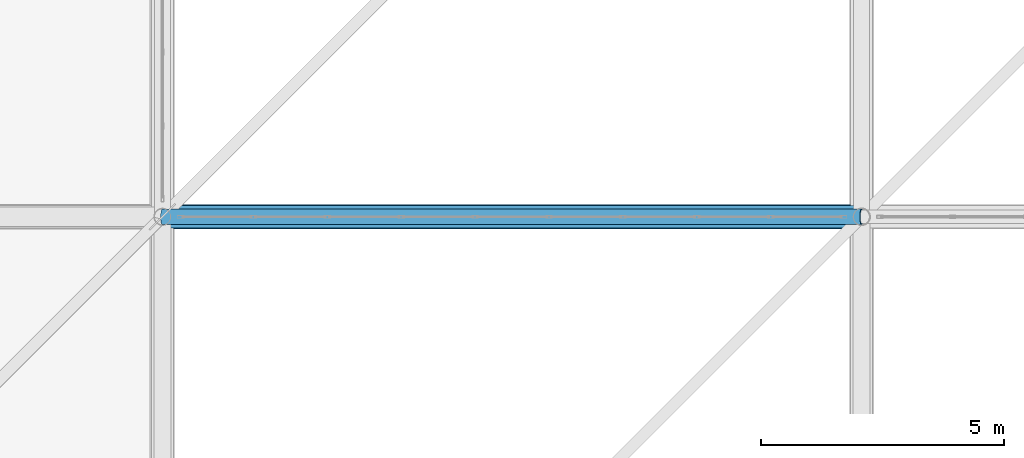
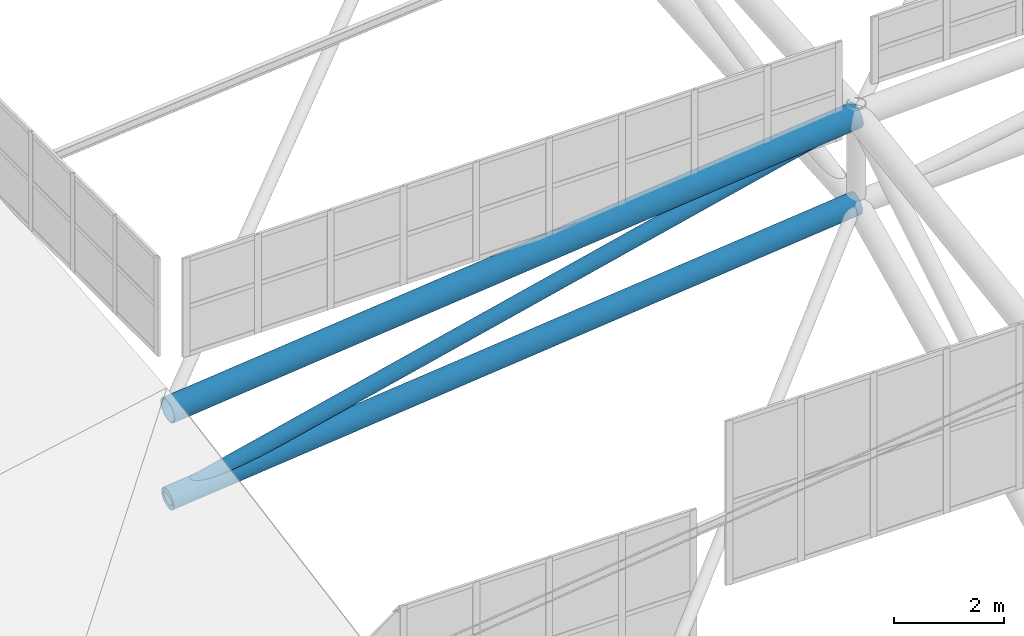
# One storey, part 36 of 397: 2 beams, 1 member.
"""IFC4 building model written with IfcOpenShell, lengths in metres."""

from ifc_helpers import new_model, si_unit, direction, frame, origin, origin_2d, place, context, subcontext, project, spatial, hollow_circle, extrude, material, material_profile, profile_set, type_object, element, save


model = new_model("IFC4")

# Units and contexts
model_context = context("Model", 3, precision=1e-05, world=origin(), true_north=direction((0.0, 1.0)))
body_context = subcontext(model_context, "Body", "Model", "MODEL_VIEW")
ifc_project = project(units=[si_unit("LENGTHUNIT", "METRE"), si_unit("AREAUNIT", "SQUARE_METRE"), si_unit("VOLUMEUNIT", "CUBIC_METRE"), si_unit("PLANEANGLEUNIT", "RADIAN"), si_unit("MASSUNIT", "GRAM", prefix="KILO")], contexts=[model_context])

# Site, building, storey
site_placement = place(None, origin())
site = spatial("IfcSite", under=ifc_project, at=site_placement, CompositionType="ELEMENT")
building_placement = place(site_placement, origin())
building = spatial("IfcBuilding", under=site, at=building_placement, Name="Qandorah Velis Arena", CompositionType="ELEMENT")
storey_placement = place(building_placement, frame((0.0, 0.0, 27.5)))
storey = spatial("IfcBuildingStorey", under=building, at=storey_placement, Name="RF", CompositionType="ELEMENT", Elevation=27.5)

# Beams
ifc_material = material(Name="Steel S355", Category="steel")
ifc_material_profile_1 = material_profile(ifc_material, hollow_circle(Radius=0.228515625, WallThickness=0.01611328125, at=origin_2d()), Name="CHS 457x16")
ifc_profile_set_1 = profile_set([ifc_material_profile_1], Name="Steel S355")
beam_type_1 = type_object("IfcBeamType", Name="STR-SFC-CHS457X16", PredefinedType="USERDEFINED", material=ifc_profile_set_1)
beam_1_placement = place(storey_placement, frame((28.800048828125, 28.800048828125, 5.515380859375), z_axis=(0.994659963096, 0.0, 0.10320638456), x_axis=(0.0, 1.0, 0.0)))
element("IfcBeam", 1, at=beam_1_placement, inside=storey, type_object=beam_type_1, Name="Space frame roof truss bottom chord X 1.1", ObjectType="ROOF TRUSS", PredefinedType="USERDEFINED", context=body_context, shape_type="SweptSolid", body=[
    extrude(hollow_circle(Radius=0.228515625, WallThickness=0.01611328125, at=origin_2d()), origin(), (0.0, 0.0, 1.0), 14.477294921875),
])
ifc_material_profile_2 = material_profile(ifc_material, hollow_circle(Radius=0.25390625, WallThickness=0.02001953125, at=origin_2d()), Name="CHS 508x20")
ifc_profile_set_2 = profile_set([ifc_material_profile_2], Name="Steel S355")
beam_type_2 = type_object("IfcBeamType", Name="STR-SFC-CHS508X20", PredefinedType="USERDEFINED", material=ifc_profile_set_2)
beam_2_placement = place(storey_placement, frame((28.800048828125, 28.800048828125, 7.46533203125), z_axis=(0.994659963096, 0.0, 0.10320638456), x_axis=(0.0, 1.0, 0.0)))
element("IfcBeam", 2, at=beam_2_placement, inside=storey, type_object=beam_type_2, Name="Space frame roof truss top chord X 1.1", ObjectType="ROOF TRUSS", PredefinedType="USERDEFINED", context=body_context, shape_type="SweptSolid", body=[
    extrude(hollow_circle(Radius=0.25390625, WallThickness=0.02001953125, at=origin_2d()), origin(), (0.0, 0.0, 1.0), 14.477294921875),
])

# Member
ifc_material_profile_3 = material_profile(ifc_material, hollow_circle(Radius=0.161865234375, WallThickness=0.01611328125, at=origin_2d()), Name="CHS 323.9x16")
ifc_profile_set_3 = profile_set([ifc_material_profile_3], Name="Steel S355")
member_type = type_object("IfcMemberType", Name="STR-SFD-CHS323X16", PredefinedType="CHORD", material=ifc_profile_set_3)
member_placement = place(storey_placement, frame((28.800048828125, 28.800048828125, 5.515380859375), z_axis=(0.972569160891, 0.0, 0.232613901744), x_axis=(0.0, 1.0, 0.0)))
element("IfcMember", 3, at=member_placement, inside=storey, type_object=member_type, Name="Space frame roof diagonal X 1.1", PredefinedType="CHORD", context=body_context, shape_type="SweptSolid", body=[
    extrude(hollow_circle(Radius=0.161865234375, WallThickness=0.01611328125, at=origin_2d()), origin(), (0.0, 0.0, 1.0), 14.80615234375),
])

save(model, "model.ifc")
